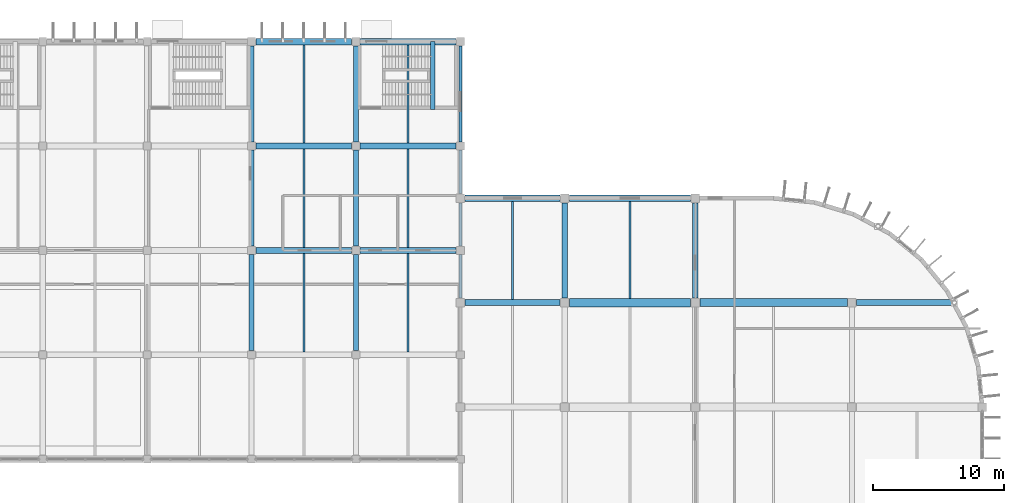
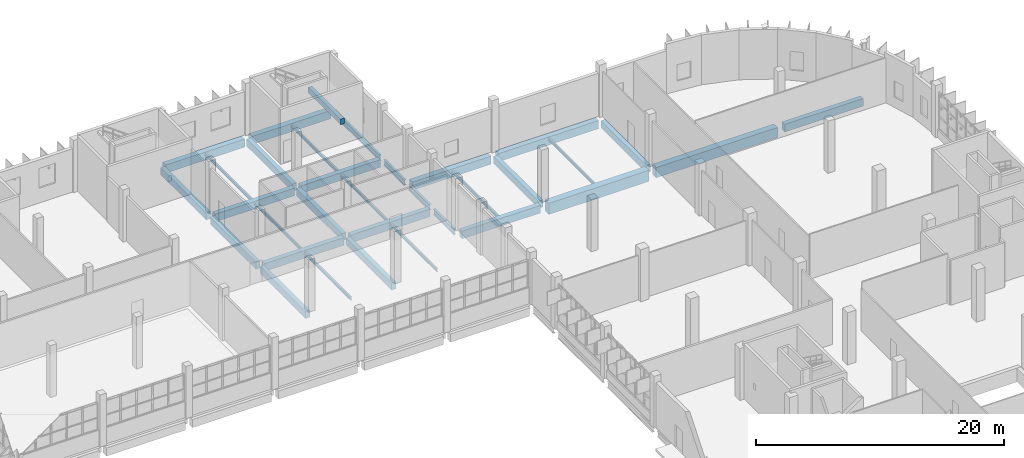
# One storey, part 51 of 103: 33 beams.
"""IFC4 building model written with IfcOpenShell, lengths in metres."""

import ifcopenshell
import ifcopenshell.guid

model = None  # the IFC model being written
_history = None  # IfcOwnerHistory: only IFC2X3 demands one
_inside = {}  # id of a spatial element -> (the spatial element, [elements in it])
_under = {}  # id of a project, library or spatial element -> (it, [spatial elements below it])
_declared = {}  # id of a project -> (the project, [libraries it declares])
_typed = {}  # id of a type object -> (the type object, [elements of that type])
_made_of = {}  # id of a material, layer set ... -> (it, [elements and type objects made of it])


def new_model(schema):
    """Start an empty IFC model of exactly this schema.

    Asked for "IFC4X3", IfcOpenShell would pick the latest addendum, in which some entities
    have other attributes; the version numbers below select the first issue.
    IFC2X3 requires an IfcOwnerHistory on every rooted entity: one is made here for all.
    """
    global model, _history
    if schema == "IFC4X3":
        model = ifcopenshell.file(schema_version=(4, 3, 0, 0))
    else:
        model = ifcopenshell.file(schema=schema)
    _inside.clear()
    _under.clear()
    _declared.clear()
    _typed.clear()
    _made_of.clear()
    _history = None
    if model.schema == "IFC2X3":
        org = make("IfcOrganization", Name="unknown")
        user = make(
            "IfcPersonAndOrganization",
            ThePerson=make("IfcPerson", FamilyName="unknown"),
            TheOrganization=org,
        )
        app = make(
            "IfcApplication",
            ApplicationDeveloper=org,
            Version="unknown",
            ApplicationFullName="unknown",
            ApplicationIdentifier="unknown",
        )
        _history = make(
            "IfcOwnerHistory",
            OwningUser=user,
            OwningApplication=app,
            ChangeAction="ADDED",
            CreationDate=0,
        )
    return model


def make(cls, **values):
    """One entity of the class cls with the attributes given. An attribute that is None is left unset."""
    return model.create_entity(
        cls, **{name: value for name, value in values.items() if value is not None}
    )


def rooted(cls, **values):
    """An entity with a GlobalId (a new one), such as an element, a storey or a relation."""
    return make(cls, GlobalId=ifcopenshell.guid.new(), OwnerHistory=_history, **values)


def si_unit(unit_type, name, prefix=None):
    """IfcSIUnit, for example si_unit("LENGTHUNIT", "METRE", prefix="MILLI")."""
    return make("IfcSIUnit", UnitType=unit_type, Prefix=prefix, Name=name)


def assignment(units):
    """IfcUnitAssignment: the units of a project."""
    return None if units is None else make("IfcUnitAssignment", Units=units)


def point(xyz):
    """IfcCartesianPoint."""
    return None if xyz is None else make("IfcCartesianPoint", Coordinates=xyz)


def direction(xyz):
    """IfcDirection."""
    return None if xyz is None else make("IfcDirection", DirectionRatios=xyz)


def frame(location, z_axis=None, x_axis=None):
    """IfcAxis2Placement3D, a coordinate frame: its origin and axes. An axis left out is left unset."""
    return make(
        "IfcAxis2Placement3D",
        Location=point(location),
        Axis=direction(z_axis),
        RefDirection=direction(x_axis),
    )


def frame_2d(location, x_axis=None):
    """IfcAxis2Placement2D, a coordinate frame in the plane: its origin and x axis."""
    return make(
        "IfcAxis2Placement2D", Location=point(location), RefDirection=direction(x_axis)
    )


def origin():
    """The frame at (0, 0, 0) with its axes left unset."""
    return frame((0.0, 0.0, 0.0))


def origin_2d():
    """The frame at (0, 0) in the plane with its x axis left unset."""
    return frame_2d((0.0, 0.0))


def place(relative_to, where):
    """IfcLocalPlacement: puts the frame where relative to a parent placement (None: the world)."""
    return make(
        "IfcLocalPlacement", PlacementRelTo=relative_to, RelativePlacement=where
    )


def context(
    kind, dimensions, precision=None, world=None, true_north=None, identifier=None
):
    """IfcGeometricRepresentationContext, for example the 3D "Model" context."""
    return make(
        "IfcGeometricRepresentationContext",
        ContextIdentifier=identifier,
        ContextType=kind,
        CoordinateSpaceDimension=dimensions,
        Precision=precision,
        WorldCoordinateSystem=world,
        TrueNorth=true_north,
    )


def subcontext(parent, identifier, kind, view, scale=None):
    """IfcGeometricRepresentationSubContext, for example "Body" below "Model"."""
    return make(
        "IfcGeometricRepresentationSubContext",
        ContextIdentifier=identifier,
        ContextType=kind,
        ParentContext=parent,
        TargetScale=scale,
        TargetView=view,
    )


def project(units=None, contexts=None):
    """IfcProject with its units and contexts."""
    return rooted(
        "IfcProject",
        Name="project",
        RepresentationContexts=contexts,
        UnitsInContext=assignment(units),
    )


def spatial(cls, under=None, at=None, **own):
    """A site, building, storey or space (cls), placed at a placement, below another one or the project."""
    s = rooted(cls, ObjectPlacement=at, **own)
    if under is not None:
        _under.setdefault(under.id(), (under, []))[1].append(s)
    return s


def profile(cls, at=None, kind="AREA", **sizes):
    """A parametric profile (cls). Its sizes go by their IFC names, for example OverallWidth=200.0."""
    return make(cls, ProfileType=kind, Position=at, **sizes)


def rectangle(**sizes):
    """IfcRectangleProfileDef."""
    return profile("IfcRectangleProfileDef", **sizes)


def i_section(**sizes):
    """IfcIShapeProfileDef."""
    return profile("IfcIShapeProfileDef", **sizes)


def extrude(swept, where, along, depth):
    """IfcExtrudedAreaSolid: the profile swept, set in the frame where, extruded along a direction by depth."""
    return make(
        "IfcExtrudedAreaSolid",
        SweptArea=swept,
        Position=where,
        ExtrudedDirection=direction(along),
        Depth=depth,
    )


def shape(context_of_items, identifier, shape_type, items):
    """IfcShapeRepresentation: the items that make up one representation, for example the "Body"."""
    return make(
        "IfcShapeRepresentation",
        ContextOfItems=context_of_items,
        RepresentationIdentifier=identifier,
        RepresentationType=shape_type,
        Items=items,
    )


def material(Name=None, Category=None):
    """IfcMaterial."""
    return make("IfcMaterial", Name=Name, Category=Category)


def material_profile(
    of_material, cross_section, Name=None, Category=None, Priority=None
):
    """IfcMaterialProfile: a cross section and its material."""
    return make(
        "IfcMaterialProfile",
        Name=Name,
        Material=of_material,
        Profile=cross_section,
        Priority=Priority,
        Category=Category,
    )


def profile_set(profiles, Name=None, composite=None):
    """IfcMaterialProfileSet."""
    return make(
        "IfcMaterialProfileSet",
        Name=Name,
        MaterialProfiles=profiles,
        CompositeProfile=composite,
    )


def made_of(thing, what):
    """Note that an element or type object is made of a material, layer set ...; save() writes the relation."""
    if what is not None:
        _made_of.setdefault(what.id(), (what, []))[1].append(thing)
    return thing


def type_object(cls, material=None, **own):
    """A type object (cls), such as IfcWallType, which elements share."""
    return made_of(rooted(cls, **own), material)


def element(
    cls,
    number,
    at=None,
    inside=None,
    cuts=None,
    type_object=None,
    material=None,
    context=None,
    identifier="Body",
    shape_type=None,
    held_by="IfcProductDefinitionShape",
    body=None,
    shapes=None,
    **own,
):
    """One element of the class cls, such as IfcWall. Its Tag is "e" and its number.

    at: its placement. inside: the storey or other place that contains it. cuts: it is an
    opening in that element (IfcRelVoidsElement). A single representation is given by context,
    identifier, shape_type and body (its items); several are given by shapes. held_by: the class
    of the entity that holds the representations. save() writes the other relations.
    """
    e = rooted(cls, Tag="e%d" % number, ObjectPlacement=at, **own)
    if body is not None:
        shapes = [shape(context, identifier, shape_type, body)]
    if shapes is not None:
        e.Representation = make(held_by, Representations=shapes)
    if inside is not None:
        _inside.setdefault(inside.id(), (inside, []))[1].append(e)
    if cuts is not None:
        rooted(
            "IfcRelVoidsElement", RelatingBuildingElement=cuts, RelatedOpeningElement=e
        )
    if type_object is not None:
        _typed.setdefault(type_object.id(), (type_object, []))[1].append(e)
    return made_of(e, material)


def aggregate(whole, parts):
    """IfcRelAggregates: a whole, such as a stair, and the parts it consists of."""
    return rooted("IfcRelAggregates", RelatingObject=whole, RelatedObjects=parts)


def save(model, path):
    """Write the relations noted so far, then the file.

    IfcRelAggregates (storeys below a building ...), IfcRelContainedInSpatialStructure (elements
    in a storey), IfcRelDefinesByType, IfcRelAssociatesMaterial and IfcRelDeclares: one each for
    every whole, place, type object, material and project.
    """
    for whole, parts in _under.values():
        aggregate(whole, parts)
    for where, things in _inside.values():
        rooted(
            "IfcRelContainedInSpatialStructure",
            RelatedElements=things,
            RelatingStructure=where,
        )
    for kind, things in _typed.values():
        rooted("IfcRelDefinesByType", RelatedObjects=things, RelatingType=kind)
    for what, things in _made_of.values():
        rooted("IfcRelAssociatesMaterial", RelatedObjects=things, RelatingMaterial=what)
    for by, libraries in _declared.values():
        rooted("IfcRelDeclares", RelatingContext=by, RelatedDefinitions=libraries)
    model.write(path)


model = new_model("IFC4")

# Units and contexts
model_context = context("Model", 3, precision=1e-05, world=origin(), true_north=direction((0.0, 1.0)))
body_context = subcontext(model_context, "Body", "Model", "MODEL_VIEW")
ifc_project = project(units=[si_unit("LENGTHUNIT", "METRE"), si_unit("AREAUNIT", "SQUARE_METRE"), si_unit("VOLUMEUNIT", "CUBIC_METRE"), si_unit("PLANEANGLEUNIT", "RADIAN"), si_unit("MASSUNIT", "GRAM", prefix="KILO")], contexts=[model_context])

# Site, building, storey
site_placement = place(None, origin())
site = spatial("IfcSite", under=ifc_project, at=site_placement, CompositionType="ELEMENT")
building_placement = place(site_placement, origin())
building = spatial("IfcBuilding", under=site, at=building_placement, Name="Drelvana Railside Aquatics Centre", CompositionType="ELEMENT")
storey_placement = place(building_placement, origin())
storey = spatial("IfcBuildingStorey", under=building, at=storey_placement, Name="L00", CompositionType="ELEMENT", Elevation=0.0)

# Beams
ifc_material_1 = material(Name="Concrete C40/50", Category="concrete")
ifc_material_profile_1 = material_profile(ifc_material_1, rectangle(XDim=0.35009765625, YDim=0.550048828125, at=origin_2d()), Name="RC 350x550")
ifc_profile_set_1 = profile_set([ifc_material_profile_1], Name="Concrete C40/50")
beam_type_1 = type_object("IfcBeamType", Name="STR-BM-BM-01-RC-350x550", PredefinedType="BEAM", material=ifc_profile_set_1)
beam_1_placement = place(storey_placement, frame((141.889892578125, 110.800048828125, 2.22509765625), z_axis=(0.0, 1.0, 0.0), x_axis=(-1.0, 0.0, 0.0)))
element("IfcBeam", 1, at=beam_1_placement, inside=storey, type_object=beam_type_1, Name="Stair ST-12 L00 mid-landing beam", PredefinedType="BEAM", context=body_context, shape_type="SweptSolid", body=[
    extrude(rectangle(XDim=0.35009765625, YDim=0.550048828125, at=origin_2d()), origin(), (0.0, 0.0, 1.0), 5.199951171875),
])
ifc_material_profile_2 = material_profile(ifc_material_1, rectangle(XDim=0.39990234375, YDim=0.699951171875, at=origin_2d()), Name="RC 400x700")
ifc_profile_set_2 = profile_set([ifc_material_profile_2], Name="Concrete C40/50")
beam_type_2 = type_object("IfcBeamType", Name="STR-BM-BM-03-RC-400x700", PredefinedType="BEAM", material=ifc_profile_set_2)
for number, where, z_axis, x_axis, name in (
    (2, (128.0, 92.324951171875, -0.679931640625), (0.0, 1.0, 0.0), (-1.0, 0.0, 0.0), "Girder BM-03 (L00)"),
    (3, (128.0, 100.324951171875, -0.679931640625), (0.0, 1.0, 0.0), (-1.0, 0.0, 0.0), "Girder BM-03 (L00)"),
    (4, (128.0, 108.324951171875, -0.679931640625), (0.0, 1.0, 0.0), (-1.0, 0.0, 0.0), "Girder BM-03 (L00)"),
    (5, (136.0, 92.324951171875, -0.679931640625), (0.0, 1.0, 0.0), (-1.0, 0.0, 0.0), "Girder BM-03 (L00)"),
    (6, (136.0, 100.324951171875, -0.679931640625), (0.0, 1.0, 0.0), (-1.0, 0.0, 0.0), "Girder BM-03 (L00)"),
    (7, (136.0, 108.324951171875, -0.679931640625), (0.0, 1.0, 0.0), (-1.0, 0.0, 0.0), "Girder BM-03 (L00)"),
):
    element("IfcBeam", number, at=place(storey_placement, frame(where, z_axis=z_axis, x_axis=x_axis)), inside=storey, type_object=beam_type_2, Name=name, PredefinedType="BEAM", context=body_context, shape_type="SweptSolid", body=[
        extrude(rectangle(XDim=0.39990234375, YDim=0.699951171875, at=origin_2d()), origin(), (0.0, 0.0, 1.0), 7.35009765625),
    ])
for number, where, z_axis, x_axis, name in (
    (8, (152.0, 96.35009765625, -0.679931640625), (0.0, 1.0, 0.0), (-1.0, 0.0, 0.0), "Girder BM-03 (L00)"),
    (9, (162.0, 96.35009765625, -0.679931640625), (0.0, 1.0, 0.0), (-1.0, 0.0, 0.0), "Girder BM-03 (L00)"),
):
    element("IfcBeam", number, at=place(storey_placement, frame(where, z_axis=z_axis, x_axis=x_axis)), inside=storey, type_object=beam_type_2, Name=name, PredefinedType="BEAM", context=body_context, shape_type="SweptSolid", body=[
        extrude(rectangle(XDim=0.39990234375, YDim=0.699951171875, at=origin_2d()), origin(), (0.0, 0.0, 1.0), 7.2998046875),
    ])
ifc_material_profile_3 = material_profile(ifc_material_1, rectangle(XDim=0.449951171875, YDim=0.75, at=origin_2d()), Name="RC 450x750")
ifc_profile_set_3 = profile_set([ifc_material_profile_3], Name="Concrete C40/50")
beam_type_3 = type_object("IfcBeamType", Name="STR-BM-BM-04-RC-450x750", PredefinedType="BEAM", material=ifc_profile_set_3)
beam_2_placement = place(storey_placement, frame((144.35009765625, 96.0, -0.705078125), z_axis=(1.0, 0.0, 0.0), x_axis=(0.0, 1.0, 0.0)))
element("IfcBeam", 10, at=beam_2_placement, inside=storey, type_object=beam_type_3, Name="Girder BM-04 (L00)", PredefinedType="BEAM", context=body_context, shape_type="SweptSolid", body=[
    extrude(rectangle(XDim=0.449951171875, YDim=0.75, at=origin_2d()), origin(), (0.0, 0.0, 1.0), 7.2998046875),
])
beam_3_placement = place(storey_placement, frame((174.35009765625, 96.0, -0.705078125), z_axis=(1.0, 0.0, 0.0), x_axis=(0.0, 1.0, 0.0)))
element("IfcBeam", 11, at=beam_3_placement, inside=storey, type_object=beam_type_3, Name="Girder BM-04 (L00)", PredefinedType="BEAM", context=body_context, shape_type="SweptSolid", body=[
    extrude(rectangle(XDim=0.449951171875, YDim=0.75, at=origin_2d()), origin(), (0.0, 0.0, 1.0), 7.306640625),
])
for number, where, z_axis, x_axis, name in (
    (12, (128.324951171875, 100.0, -0.705078125), (1.0, 0.0, 0.0), (0.0, 1.0, 0.0), "Girder BM-04 (L00)"),
    (13, (136.324951171875, 100.0, -0.705078125), (1.0, 0.0, 0.0), (0.0, 1.0, 0.0), "Girder BM-04 (L00)"),
    (14, (128.324951171875, 108.0, -0.705078125), (1.0, 0.0, 0.0), (0.0, 1.0, 0.0), "Girder BM-04 (L00)"),
    (15, (136.324951171875, 108.0, -0.705078125), (1.0, 0.0, 0.0), (0.0, 1.0, 0.0), "Girder BM-04 (L00)"),
):
    element("IfcBeam", number, at=place(storey_placement, frame(where, z_axis=z_axis, x_axis=x_axis)), inside=storey, type_object=beam_type_3, Name=name, PredefinedType="BEAM", context=body_context, shape_type="SweptSolid", body=[
        extrude(rectangle(XDim=0.449951171875, YDim=0.75, at=origin_2d()), origin(), (0.0, 0.0, 1.0), 7.35009765625),
    ])
ifc_material_profile_4 = material_profile(ifc_material_1, rectangle(XDim=0.5, YDim=0.800048828125, at=origin_2d()), Name="RC 500x800")
ifc_profile_set_4 = profile_set([ifc_material_profile_4], Name="Concrete C40/50")
beam_type_4 = type_object("IfcBeamType", Name="STR-BM-BM-06-RC-500x800", PredefinedType="SPANDREL", material=ifc_profile_set_4)
beam_4_placement = place(storey_placement, frame((144.35009765625, 104.0, -0.72998046875), z_axis=(1.0, 0.0, 0.0), x_axis=(0.0, 1.0, 0.0)))
element("IfcBeam", 16, at=beam_4_placement, inside=storey, type_object=beam_type_4, Name="Girder BM-06 (L00)", PredefinedType="SPANDREL", context=body_context, shape_type="SweptSolid", body=[
    extrude(rectangle(XDim=0.5, YDim=0.800048828125, at=origin_2d()), origin(), (0.0, 0.0, 1.0), 7.2998046875),
])
beam_5_placement = place(storey_placement, frame((152.35009765625, 104.0, -0.72998046875), z_axis=(1.0, 0.0, 0.0), x_axis=(0.0, 1.0, 0.0)))
element("IfcBeam", 17, at=beam_5_placement, inside=storey, type_object=beam_type_4, Name="Girder BM-06 (L00)", PredefinedType="SPANDREL", context=body_context, shape_type="SweptSolid", body=[
    extrude(rectangle(XDim=0.5, YDim=0.800048828125, at=origin_2d()), origin(), (0.0, 0.0, 1.0), 9.2998046875),
])
for number, where, z_axis, x_axis, name in (
    (18, (128.324951171875, 116.0, -0.72998046875), (1.0, 0.0, 0.0), (0.0, 1.0, 0.0), "Girder BM-06 (L00)"),
    (19, (136.324951171875, 116.0, -0.72998046875), (1.0, 0.0, 0.0), (0.0, 1.0, 0.0), "Girder BM-06 (L00)"),
):
    element("IfcBeam", number, at=place(storey_placement, frame(where, z_axis=z_axis, x_axis=x_axis)), inside=storey, type_object=beam_type_4, Name=name, PredefinedType="SPANDREL", context=body_context, shape_type="SweptSolid", body=[
        extrude(rectangle(XDim=0.5, YDim=0.800048828125, at=origin_2d()), origin(), (0.0, 0.0, 1.0), 7.35009765625),
    ])
ifc_material_profile_5 = material_profile(ifc_material_1, rectangle(XDim=0.60009765625, YDim=1.0, at=origin_2d()), Name="RC 600x1000")
ifc_profile_set_5 = profile_set([ifc_material_profile_5], Name="Concrete C40/50")
beam_type_5 = type_object("IfcBeamType", Name="STR-BM-BM-09-RC-600x1000", PredefinedType="BEAM", material=ifc_profile_set_5)
beam_6_placement = place(storey_placement, frame((162.35009765625, 96.0, -0.830078125), z_axis=(1.0, 0.0, 0.0), x_axis=(0.0, 1.0, 0.0)))
element("IfcBeam", 20, at=beam_6_placement, inside=storey, type_object=beam_type_5, Name="Girder BM-09 (L00)", PredefinedType="BEAM", context=body_context, shape_type="SweptSolid", body=[
    extrude(rectangle(XDim=0.60009765625, YDim=1.0, at=origin_2d()), origin(), (0.0, 0.0, 1.0), 11.2998046875),
])
ifc_material_profile_6 = material_profile(ifc_material_1, rectangle(XDim=0.64990234375, YDim=1.10009765625, at=origin_2d()), Name="RC 650x1100")
ifc_profile_set_6 = profile_set([ifc_material_profile_6], Name="Concrete C40/50")
beam_type_6 = type_object("IfcBeamType", Name="STR-BM-BM-10-RC-650x1100", PredefinedType="BEAM", material=ifc_profile_set_6)
beam_7_placement = place(storey_placement, frame((152.35009765625, 96.0, -0.8798828125), z_axis=(1.0, 0.0, 0.0), x_axis=(0.0, 1.0, 0.0)))
element("IfcBeam", 21, at=beam_7_placement, inside=storey, type_object=beam_type_6, Name="Girder BM-10 (L00)", PredefinedType="BEAM", context=body_context, shape_type="SweptSolid", body=[
    extrude(rectangle(XDim=0.64990234375, YDim=1.10009765625, at=origin_2d()), origin(), (0.0, 0.0, 1.0), 9.2998046875),
])
ifc_material_2 = material(Name="Structural steel S355", Category="steel")
ifc_material_profile_7 = material_profile(ifc_material_2, i_section(OverallWidth=0.2099609375, OverallDepth=0.550048828125, WebThickness=0.010986328125, FlangeThickness=0.01708984375, at=origin_2d()), Name="IPE 550")
ifc_profile_set_7 = profile_set([ifc_material_profile_7], Name="Structural steel S355")
beam_type_7 = type_object("IfcBeamType", Name="STR-SBM-SB-04-IPE-550", PredefinedType="SPANDREL", material=ifc_profile_set_7)
for number, where, z_axis, x_axis, name in (
    (22, (144.0, 96.35009765625, -0.60498046875), (0.0, 1.0, 0.0), (-1.0, 0.0, 0.0), "Girder SB-04 (L00)"),
    (23, (144.0, 100.324951171875, -0.60498046875), (0.0, 1.0, 0.0), (-1.0, 0.0, 0.0), "Girder SB-04 (L00)"),
    (24, (144.0, 104.35009765625, -0.60498046875), (0.0, 1.0, 0.0), (-1.0, 0.0, 0.0), "Girder SB-04 (L00)"),
):
    element("IfcBeam", number, at=place(storey_placement, frame(where, z_axis=z_axis, x_axis=x_axis)), inside=storey, type_object=beam_type_7, Name=name, PredefinedType="SPANDREL", context=body_context, shape_type="SweptSolid", body=[
        extrude(i_section(OverallWidth=0.2099609375, OverallDepth=0.550048828125, WebThickness=0.010986328125, FlangeThickness=0.01708984375, at=origin_2d()), origin(), (0.0, 0.0, 1.0), 3.324951171875),
    ])
beam_8_placement = place(storey_placement, frame((144.0, 108.324951171875, -0.60498046875), z_axis=(0.0, 1.0, 0.0), x_axis=(-1.0, 0.0, 0.0)))
element("IfcBeam", 25, at=beam_8_placement, inside=storey, type_object=beam_type_7, Name="Girder SB-04 (L00)", PredefinedType="SPANDREL", context=body_context, shape_type="SweptSolid", body=[
    extrude(i_section(OverallWidth=0.2099609375, OverallDepth=0.550048828125, WebThickness=0.010986328125, FlangeThickness=0.01708984375, at=origin_2d()), origin(), (0.0, 0.0, 1.0), 7.35009765625),
])
ifc_material_profile_8 = material_profile(ifc_material_2, i_section(OverallWidth=0.14990234375, OverallDepth=0.300048828125, WebThickness=0.007080078125, FlangeThickness=0.0107421875, at=origin_2d()), Name="IPE 300")
ifc_profile_set_8 = profile_set([ifc_material_profile_8], Name="Structural steel S355")
beam_type_8 = type_object("IfcBeamType", Name="STR-SBM-SJ-03-IPE-300", PredefinedType="JOIST", material=ifc_profile_set_8)
for number, where, z_axis, x_axis, name in (
    (26, (132.0, 92.22509765625, -0.47998046875), (0.0, 1.0, 0.0), (-1.0, 0.0, 0.0), "Secondary floor joist SJ-03 (L00)"),
    (27, (132.0, 100.22509765625, -0.47998046875), (0.0, 1.0, 0.0), (-1.0, 0.0, 0.0), "Secondary floor joist SJ-03 (L00)"),
):
    element("IfcBeam", number, at=place(storey_placement, frame(where, z_axis=z_axis, x_axis=x_axis)), inside=storey, type_object=beam_type_8, Name=name, PredefinedType="JOIST", context=body_context, shape_type="SweptSolid", body=[
        extrude(i_section(OverallWidth=0.14990234375, OverallDepth=0.300048828125, WebThickness=0.007080078125, FlangeThickness=0.0107421875, at=origin_2d()), origin(), (0.0, 0.0, 1.0), 7.5498046875),
    ])
beam_9_placement = place(storey_placement, frame((132.0, 108.22509765625, -0.47998046875), z_axis=(0.0, 1.0, 0.0), x_axis=(-1.0, 0.0, 0.0)))
element("IfcBeam", 28, at=beam_9_placement, inside=storey, type_object=beam_type_8, Name="Secondary floor joist SJ-03 (L00)", PredefinedType="JOIST", context=body_context, shape_type="SweptSolid", body=[
    extrude(i_section(OverallWidth=0.14990234375, OverallDepth=0.300048828125, WebThickness=0.007080078125, FlangeThickness=0.0107421875, at=origin_2d()), origin(), (0.0, 0.0, 1.0), 7.52490234375),
])
for number, where, z_axis, x_axis, name in (
    (29, (140.0, 92.22509765625, -0.47998046875), (0.0, 1.0, 0.0), (-1.0, 0.0, 0.0), "Secondary floor joist SJ-03 (L00)"),
    (30, (140.0, 100.22509765625, -0.47998046875), (0.0, 1.0, 0.0), (-1.0, 0.0, 0.0), "Secondary floor joist SJ-03 (L00)"),
):
    element("IfcBeam", number, at=place(storey_placement, frame(where, z_axis=z_axis, x_axis=x_axis)), inside=storey, type_object=beam_type_8, Name=name, PredefinedType="JOIST", context=body_context, shape_type="SweptSolid", body=[
        extrude(i_section(OverallWidth=0.14990234375, OverallDepth=0.300048828125, WebThickness=0.007080078125, FlangeThickness=0.0107421875, at=origin_2d()), origin(), (0.0, 0.0, 1.0), 7.5498046875),
    ])
for number, where, z_axis, x_axis, name in (
    (31, (140.0, 108.22509765625, -0.47998046875), (0.0, 1.0, 0.0), (-1.0, 0.0, 0.0), "Secondary floor joist SJ-03 (L00)"),
    (32, (148.0, 96.22509765625, -0.47998046875), (0.0, 1.0, 0.0), (-1.0, 0.0, 0.0), "Secondary floor joist SJ-03 (L00)"),
):
    element("IfcBeam", number, at=place(storey_placement, frame(where, z_axis=z_axis, x_axis=x_axis)), inside=storey, type_object=beam_type_8, Name=name, PredefinedType="JOIST", context=body_context, shape_type="SweptSolid", body=[
        extrude(i_section(OverallWidth=0.14990234375, OverallDepth=0.300048828125, WebThickness=0.007080078125, FlangeThickness=0.0107421875, at=origin_2d()), origin(), (0.0, 0.0, 1.0), 7.52490234375),
    ])
beam_10_placement = place(storey_placement, frame((157.0, 96.324951171875, -0.47998046875), z_axis=(0.0, 1.0, 0.0), x_axis=(-1.0, 0.0, 0.0)))
element("IfcBeam", 33, at=beam_10_placement, inside=storey, type_object=beam_type_8, Name="Secondary floor joist SJ-03 (L00)", PredefinedType="JOIST", context=body_context, shape_type="SweptSolid", body=[
    extrude(i_section(OverallWidth=0.14990234375, OverallDepth=0.300048828125, WebThickness=0.007080078125, FlangeThickness=0.0107421875, at=origin_2d()), origin(), (0.0, 0.0, 1.0), 7.425048828125),
])

save(model, "model.ifc")
